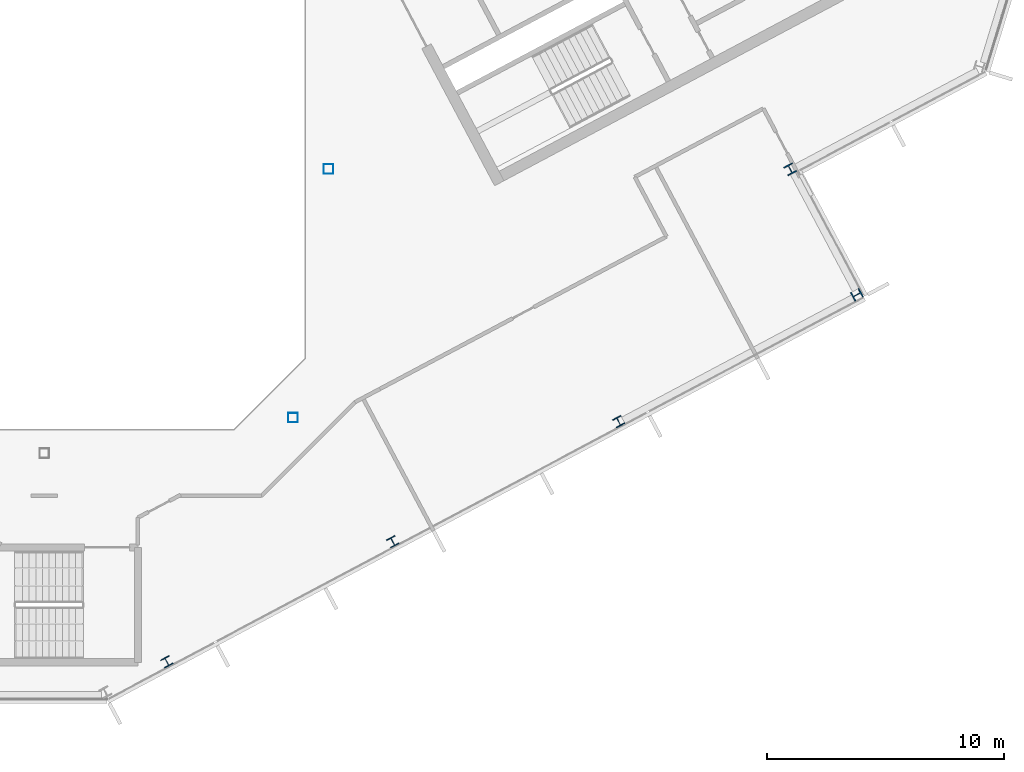
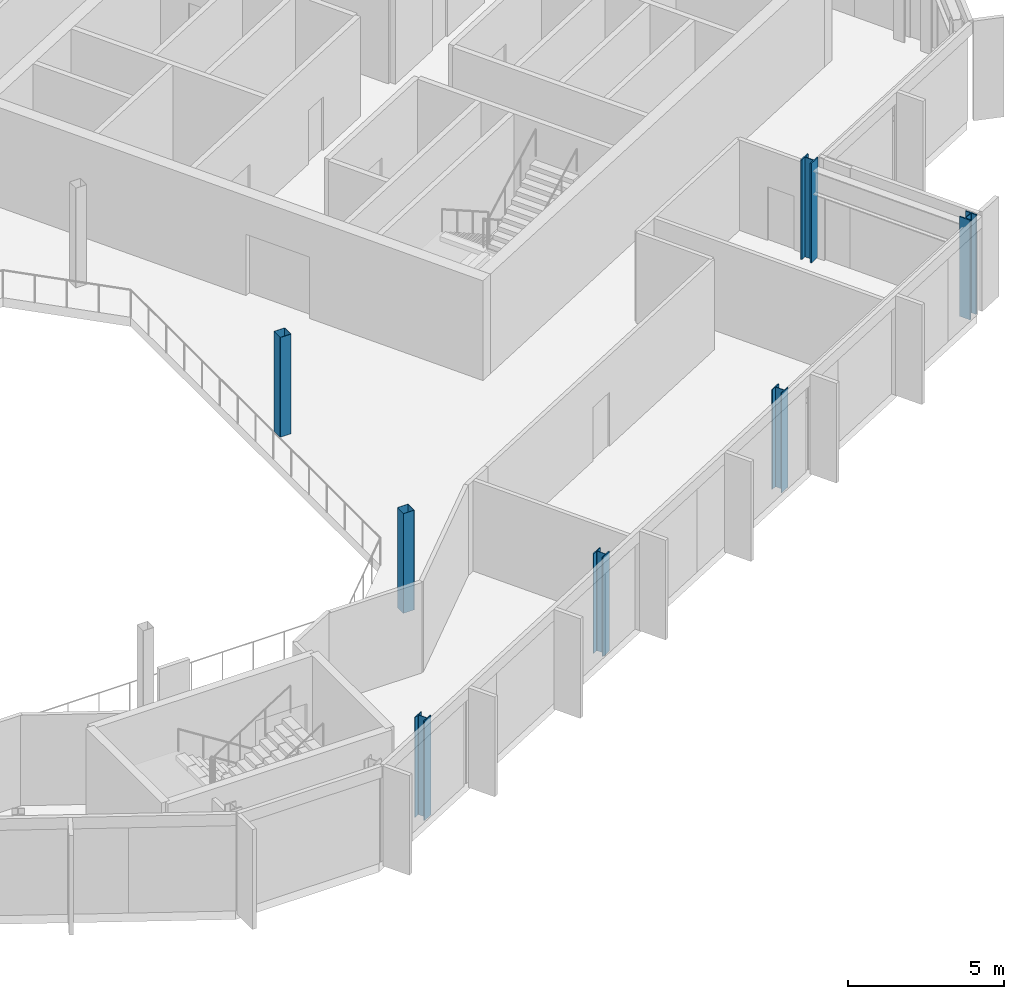
# One storey, part 5 of 26: 7 columns.
"""IFC4 building model written with IfcOpenShell, lengths in metres."""

from ifc_helpers import new_model, si_unit, direction, frame, origin, origin_2d, place, context, subcontext, project, spatial, hollow_rectangle, i_section, extrude, material, material_profile, profile_set, type_object, element, save


model = new_model("IFC4")

# Units and contexts
model_context = context("Model", 3, precision=1e-05, world=origin(), true_north=direction((0.0, 1.0)))
body_context = subcontext(model_context, "Body", "Model", "MODEL_VIEW")
ifc_project = project(units=[si_unit("LENGTHUNIT", "METRE"), si_unit("AREAUNIT", "SQUARE_METRE"), si_unit("VOLUMEUNIT", "CUBIC_METRE"), si_unit("PLANEANGLEUNIT", "RADIAN"), si_unit("MASSUNIT", "GRAM", prefix="KILO")], contexts=[model_context])

# Site, building, storey
site_placement = place(None, origin())
site = spatial("IfcSite", under=ifc_project, at=site_placement, CompositionType="ELEMENT")
building_placement = place(site_placement, origin())
building = spatial("IfcBuilding", under=site, at=building_placement, Name="Cormorant Relay Tower", CompositionType="ELEMENT")
storey_placement = place(building_placement, frame((0.0, 0.0, 293.10009765625)))
storey = spatial("IfcBuildingStorey", under=building, at=storey_placement, Name="L66", CompositionType="ELEMENT", Elevation=293.10009765625)

# Columns
ifc_material_1 = material(Name="Steel ASTM A500 Grade C (Fy 345 MPa)", Category="steel")
ifc_material_profile_1 = material_profile(ifc_material_1, hollow_rectangle(XDim=0.406494140625, YDim=0.406494140625, WallThickness=0.0087890625, InnerFilletRadius=0.00439453125, OuterFilletRadius=0.01318359375, at=origin_2d()), Name="HSS406x406x9")
ifc_profile_set_1 = profile_set([ifc_material_profile_1], Name="Steel ASTM A500 Grade C (Fy 345 MPa)")
column_type_1 = type_object("IfcColumnType", Name="Column HSS406x406x9", PredefinedType="COLUMN", material=ifc_profile_set_1)
for number, where, z_axis, x_axis, name in (
    (1, (10.5, -10.5, 0.0), (0.0, 0.0, 1.0), (1.0, 0.0, 0.0), "Column L66-010"),
    (2, (12.0, 0.0, 0.0), (0.0, 0.0, 1.0), (1.0, 0.0, 0.0), "Column L66-016"),
):
    element("IfcColumn", number, at=place(storey_placement, frame(where, z_axis=z_axis, x_axis=x_axis)), inside=storey, type_object=column_type_1, Name=name, PredefinedType="COLUMN", context=body_context, shape_type="SweptSolid", body=[
        extrude(hollow_rectangle(XDim=0.406494140625, YDim=0.406494140625, WallThickness=0.0087890625, InnerFilletRadius=0.00439453125, OuterFilletRadius=0.01318359375, at=origin_2d()), origin(), (0.0, 0.0, 1.0), 3.89990234375),
    ])
ifc_material_2 = material(Name="Steel ASTM A992 (Fy 345 MPa)", Category="steel")
ifc_material_profile_2 = material_profile(ifc_material_2, i_section(OverallWidth=0.398681640625, OverallDepth=0.385986328125, WebThickness=0.02099609375, FlangeThickness=0.033203125, FilletRadius=0.01513671875, at=origin_2d()), Name="W360x262")
ifc_profile_set_2 = profile_set([ifc_material_profile_2], Name="Steel ASTM A992 (Fy 345 MPa)")
column_type_2 = type_object("IfcColumnType", Name="Column W360x262", PredefinedType="COLUMN", material=ifc_profile_set_2)
for number, where, z_axis, x_axis, name in (
    (3, (5.174072265625, -20.806884765625, 0.0), (0.0, 0.0, 1.0), (0.882947592859, 0.469471562786, 0.0), "Column L66-003"),
    (4, (14.7099609375, -15.736083984375, 0.0), (0.0, 0.0, 1.0), (0.882947592859, 0.469471562786, 0.0), "Column L66-005"),
    (5, (24.2451171875, -10.666015625, 0.0), (0.0, 0.0, 1.0), (0.882947592859, 0.469471562786, 0.0), "Column L66-008"),
):
    element("IfcColumn", number, at=place(storey_placement, frame(where, z_axis=z_axis, x_axis=x_axis)), inside=storey, type_object=column_type_2, Name=name, PredefinedType="COLUMN", context=body_context, shape_type="SweptSolid", body=[
        extrude(i_section(OverallWidth=0.398681640625, OverallDepth=0.385986328125, WebThickness=0.02099609375, FlangeThickness=0.033203125, FilletRadius=0.01513671875, at=origin_2d()), origin(), (0.0, 0.0, 1.0), 3.89990234375),
    ])
ifc_material_3 = material(Name="Steel ASTM A992 (Fy 345 MPa)", Category="steel")
ifc_material_profile_3 = material_profile(ifc_material_3, i_section(OverallWidth=0.40380859375, OverallDepth=0.406494140625, WebThickness=0.027099609375, FlangeThickness=0.043701171875, FilletRadius=0.01513671875, at=origin_2d()), Name="W360x347")
ifc_profile_set_3 = profile_set([ifc_material_profile_3], Name="Steel ASTM A992 (Fy 345 MPa)")
column_type_3 = type_object("IfcColumnType", Name="Column W360x347", PredefinedType="COLUMN", material=ifc_profile_set_3)
for number, where, z_axis, x_axis, name in (
    (6, (34.303955078125, -5.31201171875, 0.0), (0.0, 0.0, 1.0), (-0.469471562786, 0.882947592859, 0.0), "Column L66-012"),
    (7, (31.487060546875, -0.013916015625, 0.0), (0.0, 0.0, 1.0), (0.882947592859, 0.469471562786, 0.0), "Column L66-014"),
):
    element("IfcColumn", number, at=place(storey_placement, frame(where, z_axis=z_axis, x_axis=x_axis)), inside=storey, type_object=column_type_3, Name=name, PredefinedType="COLUMN", context=body_context, shape_type="SweptSolid", body=[
        extrude(i_section(OverallWidth=0.40380859375, OverallDepth=0.406494140625, WebThickness=0.027099609375, FlangeThickness=0.043701171875, FilletRadius=0.01513671875, at=origin_2d()), origin(), (0.0, 0.0, 1.0), 3.89990234375),
    ])

save(model, "model.ifc")
